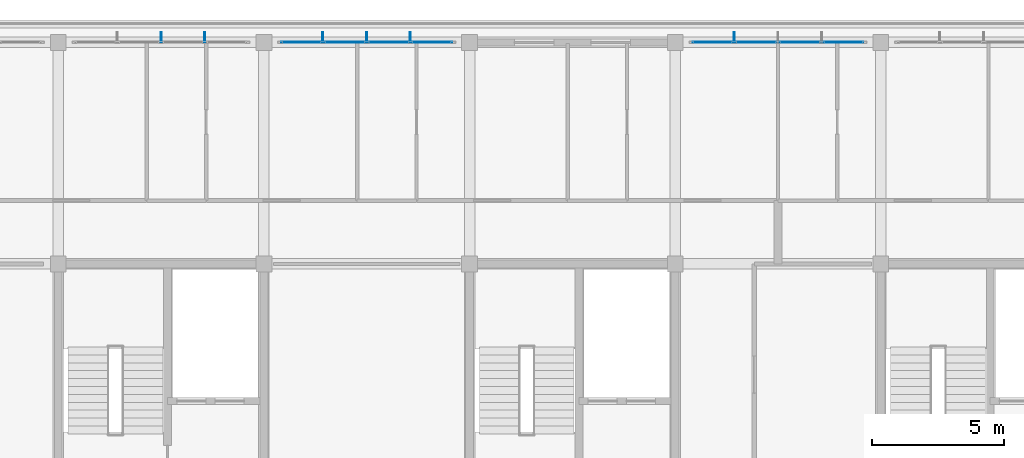
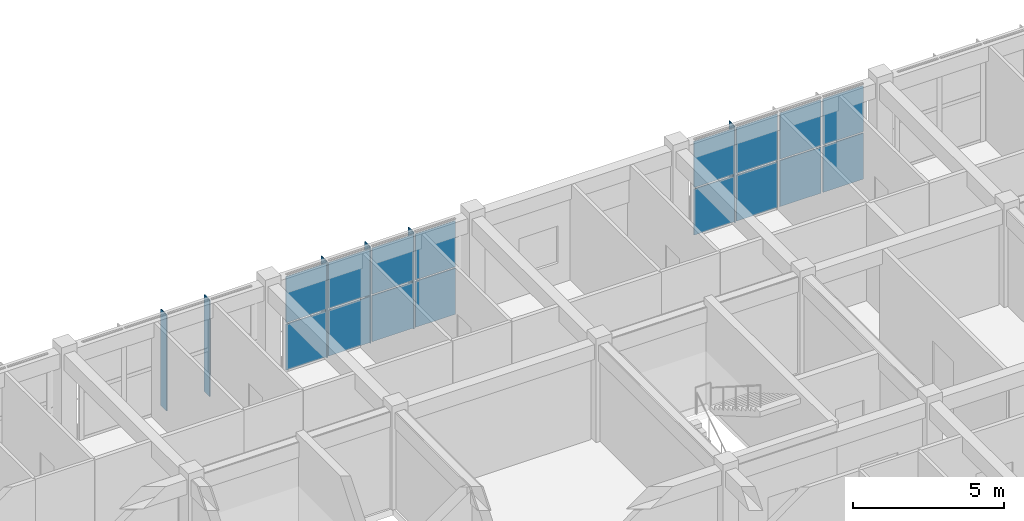
# One storey, part 42 of 56: 22 plates, 2 elements without a shape of their own.
"""IFC4 building model written with IfcOpenShell, lengths in metres."""

from ifc_helpers import new_model, si_unit, direction, frame, origin, origin_2d, place, context, subcontext, project, spatial, polyline, rectangle, outline, extrude, material, layer, layer_set, type_object, element, aggregate, save


model = new_model("IFC4")

# Units and contexts
model_context = context("Model", 3, precision=1e-05, world=origin(), true_north=direction((0.0, 1.0)))
body_context = subcontext(model_context, "Body", "Model", "MODEL_VIEW")
ifc_project = project(units=[si_unit("LENGTHUNIT", "METRE"), si_unit("AREAUNIT", "SQUARE_METRE"), si_unit("VOLUMEUNIT", "CUBIC_METRE"), si_unit("PLANEANGLEUNIT", "RADIAN"), si_unit("MASSUNIT", "GRAM", prefix="KILO")], contexts=[model_context])

# Site, building, storey
site_placement = place(None, origin())
site = spatial("IfcSite", under=ifc_project, at=site_placement, CompositionType="ELEMENT")
building_placement = place(site_placement, origin())
building = spatial("IfcBuilding", under=site, at=building_placement, Name="Zizhar Promenade General Hospital", CompositionType="ELEMENT")
storey_placement = place(building_placement, frame((0.0, 0.0, 26.39990234375)))
storey = spatial("IfcBuildingStorey", under=building, at=storey_placement, Name="L06", CompositionType="ELEMENT", Elevation=26.39990234375)

# Curtain wall, plates
ifc_material_1 = material(Name="Anodised aluminium 6063-T6 and low-E glass", Category="aluminium")
ifc_layer_1 = layer(ifc_material_1, 0.159912109375)
ifc_layer_set_1 = layer_set([ifc_layer_1], Name="Anodised aluminium 6063-T6 and low-E glass")
curtain_wall_type = type_object("IfcCurtainWallType", Name="CW-WARD-RIB", PredefinedType="NOTDEFINED", material=ifc_layer_set_1)
curtain_wall_1_placement = place(storey_placement, origin())
curtain_wall_1 = element("IfcCurtainWall", 1, at=curtain_wall_1_placement, inside=storey, type_object=curtain_wall_type, Name="Ward Ribbon Curtain Wall L06-8-3", PredefinedType="NOTDEFINED")
ifc_material_2 = material(Name="Low-E solar-control glass", Category="glass")
ifc_layer_2 = layer(ifc_material_2, 0.031982421875)
ifc_layer_set_2 = layer_set([ifc_layer_2], Name="Low-E solar-control glass")
plate_type_1 = type_object("IfcPlateType", Name="CWP-GLZ-32", PredefinedType="CURTAIN_PANEL", material=ifc_layer_set_2)
plate_1_placement = place(storey_placement, frame((56.030029296875, 25.199951171875, 0.06005859375), z_axis=(0.0, 0.0, 1.0), x_axis=(1.0, 0.0, 0.0)))
plate_1 = element("IfcPlate", 2, at=plate_1_placement, type_object=plate_type_1, Name="CW-13 panel 1.1", PredefinedType="CURTAIN_PANEL", context=body_context, shape_type="SweptSolid", body=[
    extrude(rectangle(XDim=1.5400390625, YDim=0.031982421875, at=origin_2d()), origin(), (0.0, 0.0, 1.0), 1.860107421875),
])
plate_2_placement = place(storey_placement, frame((56.030029296875, 25.199951171875, 1.97998046875), z_axis=(0.0, 0.0, 1.0), x_axis=(1.0, 0.0, 0.0)))
plate_2 = element("IfcPlate", 3, at=plate_2_placement, type_object=plate_type_1, Name="CW-13 panel 1.2", PredefinedType="CURTAIN_PANEL", context=body_context, shape_type="SweptSolid", body=[
    extrude(rectangle(XDim=1.5400390625, YDim=0.031982421875, at=origin_2d()), origin(), (0.0, 0.0, 1.0), 1.860107421875),
])
plate_3_placement = place(storey_placement, frame((57.669921875, 25.199951171875, 0.06005859375), z_axis=(0.0, 0.0, 1.0), x_axis=(1.0, 0.0, 0.0)))
plate_3 = element("IfcPlate", 4, at=plate_3_placement, type_object=plate_type_1, Name="CW-13 panel 2.1", PredefinedType="CURTAIN_PANEL", context=body_context, shape_type="SweptSolid", body=[
    extrude(rectangle(XDim=1.580078125, YDim=0.031982421875, at=origin_2d()), origin(), (0.0, 0.0, 1.0), 1.860107421875),
])
plate_4_placement = place(storey_placement, frame((57.669921875, 25.199951171875, 1.97998046875), z_axis=(0.0, 0.0, 1.0), x_axis=(1.0, 0.0, 0.0)))
plate_4 = element("IfcPlate", 5, at=plate_4_placement, type_object=plate_type_1, Name="CW-13 panel 2.2", PredefinedType="CURTAIN_PANEL", context=body_context, shape_type="SweptSolid", body=[
    extrude(rectangle(XDim=1.580078125, YDim=0.031982421875, at=origin_2d()), origin(), (0.0, 0.0, 1.0), 1.860107421875),
])
plate_5_placement = place(storey_placement, frame((59.330078125, 25.199951171875, 0.06005859375), z_axis=(0.0, 0.0, 1.0), x_axis=(1.0, 0.0, 0.0)))
plate_5 = element("IfcPlate", 6, at=plate_5_placement, type_object=plate_type_1, Name="CW-13 panel 3.1", PredefinedType="CURTAIN_PANEL", context=body_context, shape_type="SweptSolid", body=[
    extrude(rectangle(XDim=1.580078125, YDim=0.031982421875, at=origin_2d()), origin(), (0.0, 0.0, 1.0), 1.860107421875),
])
plate_6_placement = place(storey_placement, frame((59.330078125, 25.199951171875, 1.97998046875), z_axis=(0.0, 0.0, 1.0), x_axis=(1.0, 0.0, 0.0)))
plate_6 = element("IfcPlate", 7, at=plate_6_placement, type_object=plate_type_1, Name="CW-13 panel 3.2", PredefinedType="CURTAIN_PANEL", context=body_context, shape_type="SweptSolid", body=[
    extrude(rectangle(XDim=1.580078125, YDim=0.031982421875, at=origin_2d()), origin(), (0.0, 0.0, 1.0), 1.860107421875),
])
plate_7_placement = place(storey_placement, frame((60.969970703125, 25.199951171875, 0.06005859375), z_axis=(0.0, 0.0, 1.0), x_axis=(1.0, 0.0, 0.0)))
plate_7 = element("IfcPlate", 8, at=plate_7_placement, type_object=plate_type_1, Name="CW-13 panel 4.1", PredefinedType="CURTAIN_PANEL", context=body_context, shape_type="SweptSolid", body=[
    extrude(rectangle(XDim=1.5400390625, YDim=0.031982421875, at=origin_2d()), origin(), (0.0, 0.0, 1.0), 1.860107421875),
])
plate_8_placement = place(storey_placement, frame((60.969970703125, 25.199951171875, 1.97998046875), z_axis=(0.0, 0.0, 1.0), x_axis=(1.0, 0.0, 0.0)))
plate_8 = element("IfcPlate", 9, at=plate_8_placement, type_object=plate_type_1, Name="CW-13 panel 4.2", PredefinedType="CURTAIN_PANEL", context=body_context, shape_type="SweptSolid", body=[
    extrude(rectangle(XDim=1.5400390625, YDim=0.031982421875, at=origin_2d()), origin(), (0.0, 0.0, 1.0), 1.860107421875),
])
aggregate(curtain_wall_1, [plate_1, plate_2, plate_3, plate_4, plate_5, plate_6, plate_7, plate_8])

curtain_wall_2_placement = place(storey_placement, origin())
curtain_wall_2 = element("IfcCurtainWall", 10, at=curtain_wall_2_placement, inside=storey, type_object=curtain_wall_type, Name="Ward Ribbon Curtain Wall L06-8-5", PredefinedType="NOTDEFINED")
plate_9_placement = place(storey_placement, frame((71.6298828125, 25.199951171875, 0.06005859375), z_axis=(0.0, 0.0, 1.0), x_axis=(1.0, 0.0, 0.0)))
plate_9 = element("IfcPlate", 11, at=plate_9_placement, type_object=plate_type_1, Name="CW-13 panel 1.1", PredefinedType="CURTAIN_PANEL", context=body_context, shape_type="SweptSolid", body=[
    extrude(rectangle(XDim=1.5400390625, YDim=0.031982421875, at=origin_2d()), origin(), (0.0, 0.0, 1.0), 1.860107421875),
])
plate_10_placement = place(storey_placement, frame((71.6298828125, 25.199951171875, 1.97998046875), z_axis=(0.0, 0.0, 1.0), x_axis=(1.0, 0.0, 0.0)))
plate_10 = element("IfcPlate", 12, at=plate_10_placement, type_object=plate_type_1, Name="CW-13 panel 1.2", PredefinedType="CURTAIN_PANEL", context=body_context, shape_type="SweptSolid", body=[
    extrude(rectangle(XDim=1.5400390625, YDim=0.031982421875, at=origin_2d()), origin(), (0.0, 0.0, 1.0), 1.860107421875),
])
plate_11_placement = place(storey_placement, frame((73.27001953125, 25.199951171875, 0.06005859375), z_axis=(0.0, 0.0, 1.0), x_axis=(1.0, 0.0, 0.0)))
plate_11 = element("IfcPlate", 13, at=plate_11_placement, type_object=plate_type_1, Name="CW-13 panel 2.1", PredefinedType="CURTAIN_PANEL", context=body_context, shape_type="SweptSolid", body=[
    extrude(rectangle(XDim=1.580078125, YDim=0.031982421875, at=origin_2d()), origin(), (0.0, 0.0, 1.0), 1.860107421875),
])
plate_12_placement = place(storey_placement, frame((73.27001953125, 25.199951171875, 1.97998046875), z_axis=(0.0, 0.0, 1.0), x_axis=(1.0, 0.0, 0.0)))
plate_12 = element("IfcPlate", 14, at=plate_12_placement, type_object=plate_type_1, Name="CW-13 panel 2.2", PredefinedType="CURTAIN_PANEL", context=body_context, shape_type="SweptSolid", body=[
    extrude(rectangle(XDim=1.580078125, YDim=0.031982421875, at=origin_2d()), origin(), (0.0, 0.0, 1.0), 1.860107421875),
])
plate_13_placement = place(storey_placement, frame((74.929931640625, 25.199951171875, 0.06005859375), z_axis=(0.0, 0.0, 1.0), x_axis=(1.0, 0.0, 0.0)))
plate_13 = element("IfcPlate", 15, at=plate_13_placement, type_object=plate_type_1, Name="CW-13 panel 3.1", PredefinedType="CURTAIN_PANEL", context=body_context, shape_type="SweptSolid", body=[
    extrude(rectangle(XDim=1.580078125, YDim=0.031982421875, at=origin_2d()), origin(), (0.0, 0.0, 1.0), 1.860107421875),
])
plate_14_placement = place(storey_placement, frame((74.929931640625, 25.199951171875, 1.97998046875), z_axis=(0.0, 0.0, 1.0), x_axis=(1.0, 0.0, 0.0)))
plate_14 = element("IfcPlate", 16, at=plate_14_placement, type_object=plate_type_1, Name="CW-13 panel 3.2", PredefinedType="CURTAIN_PANEL", context=body_context, shape_type="SweptSolid", body=[
    extrude(rectangle(XDim=1.580078125, YDim=0.031982421875, at=origin_2d()), origin(), (0.0, 0.0, 1.0), 1.860107421875),
])
plate_15_placement = place(storey_placement, frame((76.570068359375, 25.199951171875, 0.06005859375), z_axis=(0.0, 0.0, 1.0), x_axis=(1.0, 0.0, 0.0)))
plate_15 = element("IfcPlate", 17, at=plate_15_placement, type_object=plate_type_1, Name="CW-13 panel 4.1", PredefinedType="CURTAIN_PANEL", context=body_context, shape_type="SweptSolid", body=[
    extrude(rectangle(XDim=1.5400390625, YDim=0.031982421875, at=origin_2d()), origin(), (0.0, 0.0, 1.0), 1.860107421875),
])
plate_16_placement = place(storey_placement, frame((76.570068359375, 25.199951171875, 1.97998046875), z_axis=(0.0, 0.0, 1.0), x_axis=(1.0, 0.0, 0.0)))
plate_16 = element("IfcPlate", 18, at=plate_16_placement, type_object=plate_type_1, Name="CW-13 panel 4.2", PredefinedType="CURTAIN_PANEL", context=body_context, shape_type="SweptSolid", body=[
    extrude(rectangle(XDim=1.5400390625, YDim=0.031982421875, at=origin_2d()), origin(), (0.0, 0.0, 1.0), 1.860107421875),
])
aggregate(curtain_wall_2, [plate_9, plate_10, plate_11, plate_12, plate_13, plate_14, plate_15, plate_16])

# Plates
ifc_material_3 = material(Name="Anodised aluminium 6063-T6", Category="aluminium")
ifc_layer_3 = layer(ifc_material_3, 0.035888671875)
ifc_layer_set_3 = layer_set([ifc_layer_3], Name="Anodised aluminium 6063-T6")
plate_type_2 = type_object("IfcPlateType", Name="FIN-ALU-380", PredefinedType="USERDEFINED", material=ifc_layer_set_3)
plate_17_placement = place(storey_placement, origin())
element("IfcPlate", 19, at=plate_17_placement, inside=storey, type_object=plate_type_2, Name="Ward Ribbon Curtain Wall L06-8-2 Solar Fin 2", ObjectType="SOLAR_SHADE", PredefinedType="USERDEFINED", context=body_context, shape_type="SweptSolid", body=[
    extrude(outline(polyline([(50.681884765625, 25.199951171875), (50.718017578125, 25.199951171875), (50.718017578125, 25.580078125), (50.681884765625, 25.580078125), (50.681884765625, 25.199951171875)])), origin(), (0.0, 0.0, 1.0), 3.900146484375),
])
plate_18_placement = place(storey_placement, origin())
element("IfcPlate", 20, at=plate_18_placement, inside=storey, type_object=plate_type_2, Name="Ward Ribbon Curtain Wall L06-8-2 Solar Fin 3", ObjectType="SOLAR_SHADE", PredefinedType="USERDEFINED", context=body_context, shape_type="SweptSolid", body=[
    extrude(outline(polyline([(52.342041015625, 25.199951171875), (52.3779296875, 25.199951171875), (52.3779296875, 25.580078125), (52.342041015625, 25.580078125), (52.342041015625, 25.199951171875)])), origin(), (0.0, 0.0, 1.0), 3.900146484375),
])
plate_19_placement = place(storey_placement, origin())
element("IfcPlate", 21, at=plate_19_placement, inside=storey, type_object=plate_type_2, Name="Ward Ribbon Curtain Wall L06-8-3 Solar Fin 1", ObjectType="SOLAR_SHADE", PredefinedType="USERDEFINED", context=body_context, shape_type="SweptSolid", body=[
    extrude(outline(polyline([(56.822021484375, 25.199951171875), (56.85791015625, 25.199951171875), (56.85791015625, 25.580078125), (56.822021484375, 25.580078125), (56.822021484375, 25.199951171875)])), origin(), (0.0, 0.0, 1.0), 3.900146484375),
])
plate_20_placement = place(storey_placement, origin())
element("IfcPlate", 22, at=plate_20_placement, inside=storey, type_object=plate_type_2, Name="Ward Ribbon Curtain Wall L06-8-3 Solar Fin 2", ObjectType="SOLAR_SHADE", PredefinedType="USERDEFINED", context=body_context, shape_type="SweptSolid", body=[
    extrude(outline(polyline([(58.48193359375, 25.199951171875), (58.51806640625, 25.199951171875), (58.51806640625, 25.580078125), (58.48193359375, 25.580078125), (58.48193359375, 25.199951171875)])), origin(), (0.0, 0.0, 1.0), 3.900146484375),
])
plate_21_placement = place(storey_placement, origin())
element("IfcPlate", 23, at=plate_21_placement, inside=storey, type_object=plate_type_2, Name="Ward Ribbon Curtain Wall L06-8-3 Solar Fin 3", ObjectType="SOLAR_SHADE", PredefinedType="USERDEFINED", context=body_context, shape_type="SweptSolid", body=[
    extrude(outline(polyline([(60.14208984375, 25.199951171875), (60.177978515625, 25.199951171875), (60.177978515625, 25.580078125), (60.14208984375, 25.580078125), (60.14208984375, 25.199951171875)])), origin(), (0.0, 0.0, 1.0), 3.900146484375),
])
plate_22_placement = place(storey_placement, origin())
element("IfcPlate", 24, at=plate_22_placement, inside=storey, type_object=plate_type_2, Name="Ward Ribbon Curtain Wall L06-8-5 Solar Fin 1", ObjectType="SOLAR_SHADE", PredefinedType="USERDEFINED", context=body_context, shape_type="SweptSolid", body=[
    extrude(outline(polyline([(72.422119140625, 25.199951171875), (72.4580078125, 25.199951171875), (72.4580078125, 25.580078125), (72.422119140625, 25.580078125), (72.422119140625, 25.199951171875)])), origin(), (0.0, 0.0, 1.0), 3.900146484375),
])

save(model, "model.ifc")
